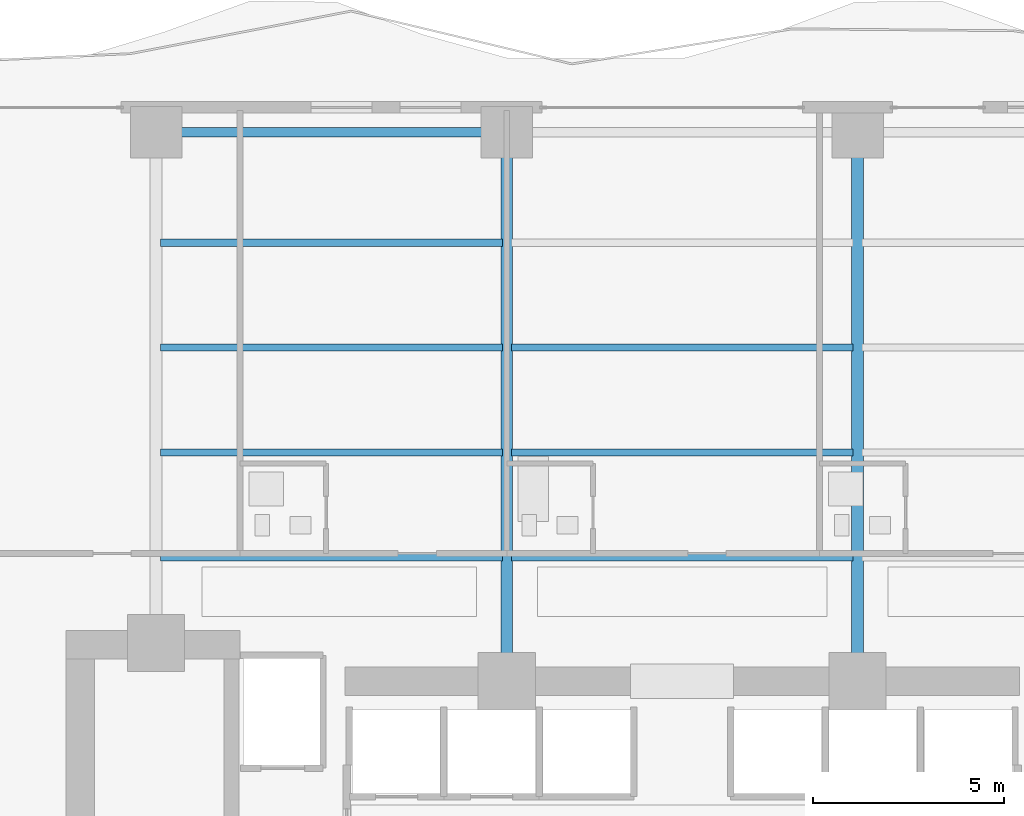
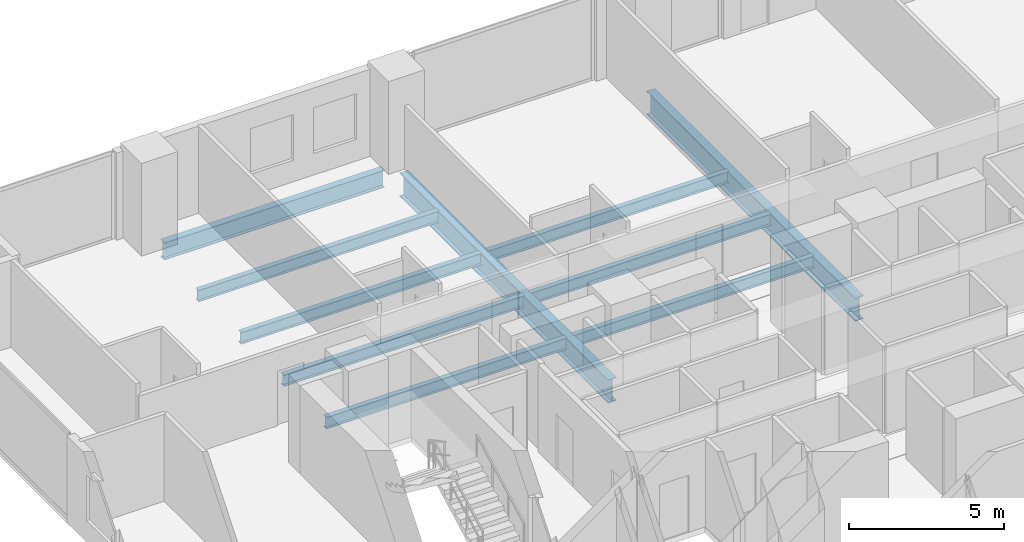
# One storey, part 15 of 27: 10 beams.
"""IFC4 building model written with IfcOpenShell, lengths in metres."""

from ifc_helpers import new_model, si_unit, direction, frame, origin, origin_2d, place, context, subcontext, project, spatial, i_section, extrude, material, material_profile, profile_set, type_object, element, save


model = new_model("IFC4")

# Units and contexts
model_context = context("Model", 3, precision=1e-05, world=origin(), true_north=direction((0.0, 1.0)))
body_context = subcontext(model_context, "Body", "Model", "MODEL_VIEW")
ifc_project = project(units=[si_unit("LENGTHUNIT", "METRE"), si_unit("AREAUNIT", "SQUARE_METRE"), si_unit("VOLUMEUNIT", "CUBIC_METRE"), si_unit("PLANEANGLEUNIT", "RADIAN"), si_unit("MASSUNIT", "GRAM", prefix="KILO")], contexts=[model_context])

# Site, building, storey
site_placement = place(None, origin())
site = spatial("IfcSite", under=ifc_project, at=site_placement, CompositionType="ELEMENT")
building_placement = place(site_placement, origin())
building = spatial("IfcBuilding", under=site, at=building_placement, Name="Zuhayl Quay Hotel", CompositionType="ELEMENT")
storey_placement = place(building_placement, frame((0.0, 0.0, 124.85009765625)))
storey = spatial("IfcBuildingStorey", under=building, at=storey_placement, Name="L31", CompositionType="ELEMENT", Elevation=124.85009765625)

# Beams
ifc_material = material(Name="Steel ASTM A992 Grade 50", Category="steel")
ifc_material_profile_1 = material_profile(ifc_material, i_section(OverallWidth=0.25390625, OverallDepth=0.68310546875, WebThickness=0.012451171875, FlangeThickness=0.018798828125, at=origin_2d()), Name="W27X94")
ifc_profile_set_1 = profile_set([ifc_material_profile_1], Name="Steel ASTM A992 Grade 50")
beam_type_1 = type_object("IfcBeamType", Name="BM_B2_W27X94", PredefinedType="BEAM", material=ifc_profile_set_1)
beam_placement = place(storey_placement, frame((-5.10009765625, 27.75, -0.5615234375), z_axis=(-1.0, 0.0, 0.0), x_axis=(0.0, -1.0, 0.0)))
element("IfcBeam", 1, at=beam_placement, inside=storey, type_object=beam_type_1, Name="L31 Floor Beam RG_L31_09", PredefinedType="BEAM", context=body_context, shape_type="SweptSolid", body=[
    extrude(i_section(OverallWidth=0.25390625, OverallDepth=0.68310546875, WebThickness=0.012451171875, FlangeThickness=0.018798828125, at=origin_2d()), origin(), (0.0, 0.0, 1.0), 8.199951171875),
])
ifc_material_profile_2 = material_profile(ifc_material, i_section(OverallWidth=0.18994140625, OverallDepth=0.45703125, WebThickness=0.009033203125, FlangeThickness=0.014404296875, at=origin_2d()), Name="W18X50")
ifc_profile_set_2 = profile_set([ifc_material_profile_2], Name="Steel ASTM A992 Grade 50")
beam_type_2 = type_object("IfcBeamType", Name="BM_J2_W18X50", PredefinedType="JOIST", material=ifc_profile_set_2)
for number, where, z_axis, x_axis, name in (
    (2, (-13.680908203125, 16.60009765625, -0.448486328125), (1.0, 0.0, 0.0), (0.0, 1.0, 0.0), "L31 Floor Beam FJ_L31_1_1"),
    (3, (-4.48095703125, 16.60009765625, -0.448486328125), (1.0, 0.0, 0.0), (0.0, 1.0, 0.0), "L31 Floor Beam FJ_L31_1_2"),
    (4, (-13.680908203125, 19.35009765625, -0.448486328125), (1.0, 0.0, 0.0), (0.0, 1.0, 0.0), "L31 Floor Beam FJ_L31_2_1"),
    (5, (-4.48095703125, 19.35009765625, -0.448486328125), (1.0, 0.0, 0.0), (0.0, 1.0, 0.0), "L31 Floor Beam FJ_L31_2_2"),
    (6, (-13.680908203125, 22.10009765625, -0.448486328125), (1.0, 0.0, 0.0), (0.0, 1.0, 0.0), "L31 Floor Beam FJ_L31_3_1"),
    (7, (-4.48095703125, 22.10009765625, -0.448486328125), (1.0, 0.0, 0.0), (0.0, 1.0, 0.0), "L31 Floor Beam FJ_L31_3_2"),
    (8, (-13.680908203125, 24.85009765625, -0.448486328125), (1.0, 0.0, 0.0), (0.0, 1.0, 0.0), "L31 Floor Beam FJ_L31_4_1"),
):
    element("IfcBeam", number, at=place(storey_placement, frame(where, z_axis=z_axis, x_axis=x_axis)), inside=storey, type_object=beam_type_2, Name=name, PredefinedType="JOIST", context=body_context, shape_type="SweptSolid", body=[
        extrude(i_section(OverallWidth=0.18994140625, OverallDepth=0.45703125, WebThickness=0.009033203125, FlangeThickness=0.014404296875, at=origin_2d()), origin(), (0.0, 0.0, 1.0), 8.9619140625),
    ])
ifc_material_profile_3 = material_profile(ifc_material, i_section(OverallWidth=0.306884765625, OverallDepth=0.927001953125, WebThickness=0.019287109375, FlangeThickness=0.031982421875, at=origin_2d()), Name="W36X194")
ifc_profile_set_3 = profile_set([ifc_material_profile_3], Name="Steel ASTM A992 Grade 50")
beam_type_3 = type_object("IfcBeamType", Name="BM_PG2_W36X194", PredefinedType="BEAM", material=ifc_profile_set_3)
for number, where, z_axis, x_axis, name in (
    (9, (-4.60009765625, 13.800048828125, -0.68359375), (0.0, 1.0, 0.0), (-1.0, 0.0, 0.0), "L31 Floor Beam FG_N_L31_2"),
    (10, (4.60009765625, 13.800048828125, -0.68359375), (0.0, 1.0, 0.0), (-1.0, 0.0, 0.0), "L31 Floor Beam FG_N_L31_3"),
):
    element("IfcBeam", number, at=place(storey_placement, frame(where, z_axis=z_axis, x_axis=x_axis)), inside=storey, type_object=beam_type_3, Name=name, PredefinedType="BEAM", context=body_context, shape_type="SweptSolid", body=[
        extrude(i_section(OverallWidth=0.306884765625, OverallDepth=0.927001953125, WebThickness=0.019287109375, FlangeThickness=0.031982421875, at=origin_2d()), origin(), (0.0, 0.0, 1.0), 13.449951171875),
    ])

save(model, "model.ifc")
